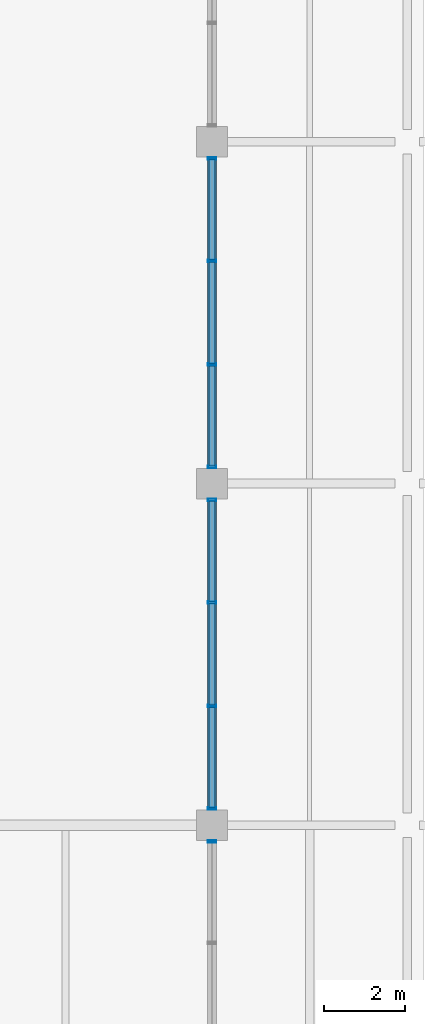
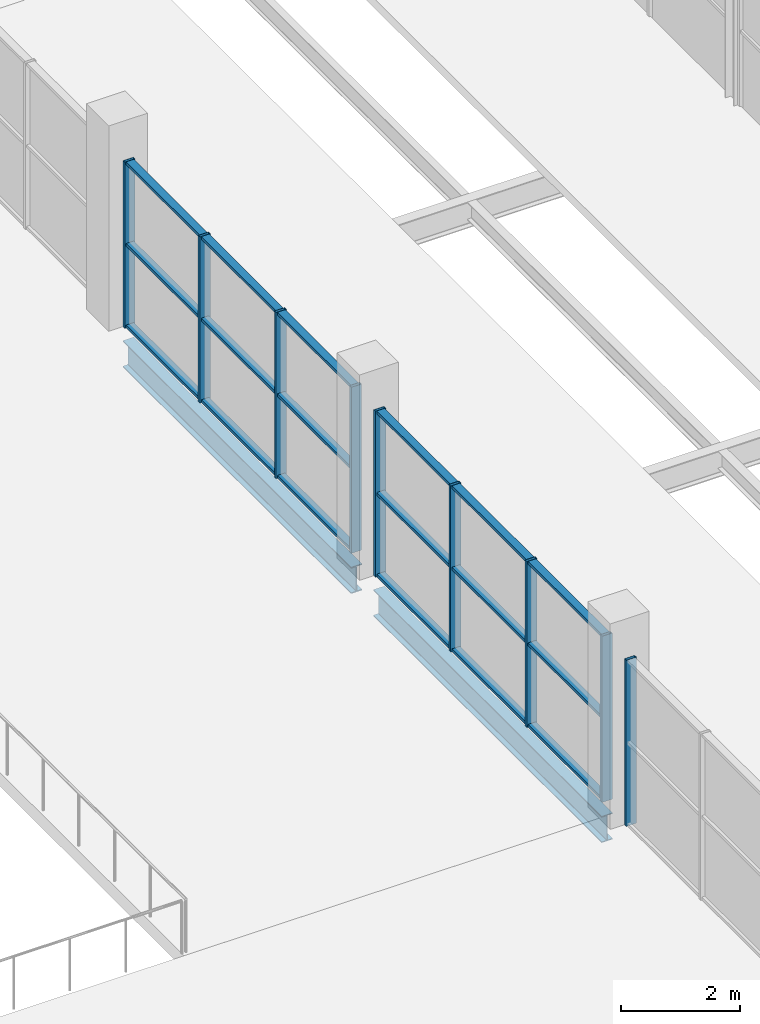
# One storey, part 46 of 161: 27 members, 2 beams, 3 elements without a shape of their own.
"""IFC4 building model written with IfcOpenShell, lengths in metres."""

from ifc_helpers import new_model, si_unit, direction, frame, origin, origin_2d, place, context, subcontext, project, spatial, hollow_rectangle, i_section, extrude, material, material_profile, profile_set, type_object, element, aggregate, save


model = new_model("IFC4")

# Units and contexts
model_context = context("Model", 3, precision=1e-05, world=origin(), true_north=direction((0.0, 1.0)))
body_context = subcontext(model_context, "Body", "Model", "MODEL_VIEW")
ifc_project = project(units=[si_unit("LENGTHUNIT", "METRE"), si_unit("AREAUNIT", "SQUARE_METRE"), si_unit("VOLUMEUNIT", "CUBIC_METRE"), si_unit("PLANEANGLEUNIT", "RADIAN"), si_unit("MASSUNIT", "GRAM", prefix="KILO"), si_unit("THERMODYNAMICTEMPERATUREUNIT", "KELVIN")], contexts=[model_context])

# Site, building, storey
site_placement = place(None, origin())
site = spatial("IfcSite", under=ifc_project, at=site_placement, CompositionType="ELEMENT")
building_placement = place(site_placement, origin())
building = spatial("IfcBuilding", under=site, at=building_placement, Name="Nduvali Passage Aquatics Centre", CompositionType="ELEMENT")
storey_placement = place(building_placement, frame((0.0, 0.0, 4.800048828125)))
storey = spatial("IfcBuildingStorey", under=building, at=storey_placement, Name="L01", CompositionType="ELEMENT", Elevation=4.800048828125)

# Curtain wall, member
ifc_material_1 = material(Name="Aluminium EN AW-6063 T6", Category="aluminium")
curtain_wall_type = type_object("IfcCurtainWallType", Name="ENV-CW-HALL", PredefinedType="NOTDEFINED", material=ifc_material_1)
curtain_wall_1_placement = place(storey_placement, origin())
curtain_wall_1 = element("IfcCurtainWall", 1, at=curtain_wall_1_placement, inside=storey, type_object=curtain_wall_type, Name="L01 East Passage Pool Hall Gallery Glazing 015", PredefinedType="NOTDEFINED")
ifc_material_profile_1 = material_profile(ifc_material_1, hollow_rectangle(XDim=0.06005859375, YDim=0.199951171875, WallThickness=0.00390625, at=origin_2d()), Name="ALU MULLION 60x200x4")
ifc_profile_set_1 = profile_set([ifc_material_profile_1], Name="Aluminium EN AW-6063 T6")
member_type_1 = type_object("IfcMemberType", Name="ENV-MEM-MUL80", PredefinedType="MULLION", material=ifc_profile_set_1)
member_1_placement = place(storey_placement, frame((126.0, 33.195068359375, 0.0), z_axis=(0.0, 0.0, 1.0), x_axis=(0.0, 1.0, 0.0)))
member_1 = element("IfcMember", 2, at=member_1_placement, type_object=member_type_1, Name="East Passage Pool Hall Gallery Glazing Mullion 4", PredefinedType="MULLION", context=body_context, shape_type="SweptSolid", body=[
    extrude(hollow_rectangle(XDim=0.06005859375, YDim=0.199951171875, WallThickness=0.00390625, at=origin_2d()), origin(), (0.0, 0.0, 1.0), 3.396484375),
])
aggregate(curtain_wall_1, [member_1])

# Curtain wall, members
curtain_wall_2_placement = place(storey_placement, origin())
curtain_wall_2 = element("IfcCurtainWall", 3, at=curtain_wall_2_placement, inside=storey, type_object=curtain_wall_type, Name="L01 East Passage Pool Hall Gallery Glazing 019", PredefinedType="NOTDEFINED")
member_2_placement = place(storey_placement, frame((126.0, 34.0048828125, 0.0), z_axis=(0.0, 0.0, 1.0), x_axis=(0.0, 1.0, 0.0)))
member_2 = element("IfcMember", 4, at=member_2_placement, type_object=member_type_1, Name="East Passage Pool Hall Gallery Glazing Mullion 1", PredefinedType="MULLION", context=body_context, shape_type="SweptSolid", body=[
    extrude(hollow_rectangle(XDim=0.06005859375, YDim=0.199951171875, WallThickness=0.00390625, at=origin_2d()), origin(), (0.0, 0.0, 1.0), 3.396484375),
])
member_3_placement = place(storey_placement, frame((126.0, 36.52490234375, 0.0), z_axis=(0.0, 0.0, 1.0), x_axis=(0.0, 1.0, 0.0)))
member_3 = element("IfcMember", 5, at=member_3_placement, type_object=member_type_1, Name="East Passage Pool Hall Gallery Glazing Mullion 2", PredefinedType="MULLION", context=body_context, shape_type="SweptSolid", body=[
    extrude(hollow_rectangle(XDim=0.06005859375, YDim=0.199951171875, WallThickness=0.00390625, at=origin_2d()), origin(), (0.0, 0.0, 1.0), 3.396484375),
])
member_4_placement = place(storey_placement, frame((126.0, 39.074951171875, 0.0), z_axis=(0.0, 0.0, 1.0), x_axis=(0.0, 1.0, 0.0)))
member_4 = element("IfcMember", 6, at=member_4_placement, type_object=member_type_1, Name="East Passage Pool Hall Gallery Glazing Mullion 3", PredefinedType="MULLION", context=body_context, shape_type="SweptSolid", body=[
    extrude(hollow_rectangle(XDim=0.06005859375, YDim=0.199951171875, WallThickness=0.00390625, at=origin_2d()), origin(), (0.0, 0.0, 1.0), 3.396484375),
])
member_5_placement = place(storey_placement, frame((126.0, 41.594970703125, 0.0), z_axis=(0.0, 0.0, 1.0), x_axis=(0.0, 1.0, 0.0)))
member_5 = element("IfcMember", 7, at=member_5_placement, type_object=member_type_1, Name="East Passage Pool Hall Gallery Glazing Mullion 4", PredefinedType="MULLION", context=body_context, shape_type="SweptSolid", body=[
    extrude(hollow_rectangle(XDim=0.06005859375, YDim=0.199951171875, WallThickness=0.00390625, at=origin_2d()), origin(), (0.0, 0.0, 1.0), 3.396484375),
])

curtain_wall_3_placement = place(storey_placement, origin())
curtain_wall_3 = element("IfcCurtainWall", 8, at=curtain_wall_3_placement, inside=storey, type_object=curtain_wall_type, Name="L01 East Passage Pool Hall Gallery Glazing 023", PredefinedType="NOTDEFINED")
member_6_placement = place(storey_placement, frame((126.0, 42.405029296875, 0.0), z_axis=(0.0, 0.0, 1.0), x_axis=(0.0, 1.0, 0.0)))
member_6 = element("IfcMember", 9, at=member_6_placement, type_object=member_type_1, Name="East Passage Pool Hall Gallery Glazing Mullion 1", PredefinedType="MULLION", context=body_context, shape_type="SweptSolid", body=[
    extrude(hollow_rectangle(XDim=0.06005859375, YDim=0.199951171875, WallThickness=0.00390625, at=origin_2d()), origin(), (0.0, 0.0, 1.0), 3.396484375),
])
member_7_placement = place(storey_placement, frame((126.0, 44.925048828125, 0.0), z_axis=(0.0, 0.0, 1.0), x_axis=(0.0, 1.0, 0.0)))
member_7 = element("IfcMember", 10, at=member_7_placement, type_object=member_type_1, Name="East Passage Pool Hall Gallery Glazing Mullion 2", PredefinedType="MULLION", context=body_context, shape_type="SweptSolid", body=[
    extrude(hollow_rectangle(XDim=0.06005859375, YDim=0.199951171875, WallThickness=0.00390625, at=origin_2d()), origin(), (0.0, 0.0, 1.0), 3.396484375),
])
member_8_placement = place(storey_placement, frame((126.0, 47.47509765625, 0.0), z_axis=(0.0, 0.0, 1.0), x_axis=(0.0, 1.0, 0.0)))
member_8 = element("IfcMember", 11, at=member_8_placement, type_object=member_type_1, Name="East Passage Pool Hall Gallery Glazing Mullion 3", PredefinedType="MULLION", context=body_context, shape_type="SweptSolid", body=[
    extrude(hollow_rectangle(XDim=0.06005859375, YDim=0.199951171875, WallThickness=0.00390625, at=origin_2d()), origin(), (0.0, 0.0, 1.0), 3.396484375),
])
member_9_placement = place(storey_placement, frame((126.0, 49.9951171875, 0.0), z_axis=(0.0, 0.0, 1.0), x_axis=(0.0, 1.0, 0.0)))
member_9 = element("IfcMember", 12, at=member_9_placement, type_object=member_type_1, Name="East Passage Pool Hall Gallery Glazing Mullion 4", PredefinedType="MULLION", context=body_context, shape_type="SweptSolid", body=[
    extrude(hollow_rectangle(XDim=0.06005859375, YDim=0.199951171875, WallThickness=0.00390625, at=origin_2d()), origin(), (0.0, 0.0, 1.0), 3.396484375),
])

# Member
ifc_material_profile_2 = material_profile(ifc_material_1, hollow_rectangle(XDim=0.14990234375, YDim=0.06005859375, WallThickness=0.00390625, at=origin_2d()), Name="ALU TRANSOM 150x60x4")
ifc_profile_set_2 = profile_set([ifc_material_profile_2], Name="Aluminium EN AW-6063 T6")
member_type_2 = type_object("IfcMemberType", Name="ENV-MEM-TRN80", PredefinedType="USERDEFINED", material=ifc_profile_set_2)
member_10_placement = place(storey_placement, frame((126.0, 34.034912109375, 0.030029296875), z_axis=(0.0, 1.0, 0.0), x_axis=(-1.0, 0.0, 0.0)))
member_10 = element("IfcMember", 13, at=member_10_placement, type_object=member_type_2, Name="East Passage Pool Hall Gallery Glazing Transom B1-R0", ObjectType="TRANSOM", PredefinedType="USERDEFINED", context=body_context, shape_type="SweptSolid", body=[
    extrude(hollow_rectangle(XDim=0.14990234375, YDim=0.06005859375, WallThickness=0.00390625, at=origin_2d()), origin(), (0.0, 0.0, 1.0), 2.460205078125),
])

member_11_placement = place(storey_placement, frame((126.0, 34.034912109375, 1.6982421875), z_axis=(0.0, 1.0, 0.0), x_axis=(-1.0, 0.0, 0.0)))
member_11 = element("IfcMember", 14, at=member_11_placement, type_object=member_type_2, Name="East Passage Pool Hall Gallery Glazing Transom B1-R1", ObjectType="TRANSOM", PredefinedType="USERDEFINED", context=body_context, shape_type="SweptSolid", body=[
    extrude(hollow_rectangle(XDim=0.14990234375, YDim=0.06005859375, WallThickness=0.00390625, at=origin_2d()), origin(), (0.0, 0.0, 1.0), 2.460205078125),
])

member_12_placement = place(storey_placement, frame((126.0, 34.034912109375, 3.366455078125), z_axis=(0.0, 1.0, 0.0), x_axis=(-1.0, 0.0, 0.0)))
member_12 = element("IfcMember", 15, at=member_12_placement, type_object=member_type_2, Name="East Passage Pool Hall Gallery Glazing Transom B1-R2", ObjectType="TRANSOM", PredefinedType="USERDEFINED", context=body_context, shape_type="SweptSolid", body=[
    extrude(hollow_rectangle(XDim=0.14990234375, YDim=0.06005859375, WallThickness=0.00390625, at=origin_2d()), origin(), (0.0, 0.0, 1.0), 2.460205078125),
])

member_13_placement = place(storey_placement, frame((126.0, 36.554931640625, 0.030029296875), z_axis=(0.0, 1.0, 0.0), x_axis=(-1.0, 0.0, 0.0)))
member_13 = element("IfcMember", 16, at=member_13_placement, type_object=member_type_2, Name="East Passage Pool Hall Gallery Glazing Transom B2-R0", ObjectType="TRANSOM", PredefinedType="USERDEFINED", context=body_context, shape_type="SweptSolid", body=[
    extrude(hollow_rectangle(XDim=0.14990234375, YDim=0.06005859375, WallThickness=0.00390625, at=origin_2d()), origin(), (0.0, 0.0, 1.0), 2.489990234375),
])

member_14_placement = place(storey_placement, frame((126.0, 36.554931640625, 1.6982421875), z_axis=(0.0, 1.0, 0.0), x_axis=(-1.0, 0.0, 0.0)))
member_14 = element("IfcMember", 17, at=member_14_placement, type_object=member_type_2, Name="East Passage Pool Hall Gallery Glazing Transom B2-R1", ObjectType="TRANSOM", PredefinedType="USERDEFINED", context=body_context, shape_type="SweptSolid", body=[
    extrude(hollow_rectangle(XDim=0.14990234375, YDim=0.06005859375, WallThickness=0.00390625, at=origin_2d()), origin(), (0.0, 0.0, 1.0), 2.489990234375),
])

member_15_placement = place(storey_placement, frame((126.0, 36.554931640625, 3.366455078125), z_axis=(0.0, 1.0, 0.0), x_axis=(-1.0, 0.0, 0.0)))
member_15 = element("IfcMember", 18, at=member_15_placement, type_object=member_type_2, Name="East Passage Pool Hall Gallery Glazing Transom B2-R2", ObjectType="TRANSOM", PredefinedType="USERDEFINED", context=body_context, shape_type="SweptSolid", body=[
    extrude(hollow_rectangle(XDim=0.14990234375, YDim=0.06005859375, WallThickness=0.00390625, at=origin_2d()), origin(), (0.0, 0.0, 1.0), 2.489990234375),
])

member_16_placement = place(storey_placement, frame((126.0, 39.10498046875, 0.030029296875), z_axis=(0.0, 1.0, 0.0), x_axis=(-1.0, 0.0, 0.0)))
member_16 = element("IfcMember", 19, at=member_16_placement, type_object=member_type_2, Name="East Passage Pool Hall Gallery Glazing Transom B3-R0", ObjectType="TRANSOM", PredefinedType="USERDEFINED", context=body_context, shape_type="SweptSolid", body=[
    extrude(hollow_rectangle(XDim=0.14990234375, YDim=0.06005859375, WallThickness=0.00390625, at=origin_2d()), origin(), (0.0, 0.0, 1.0), 2.4599609375),
])

member_17_placement = place(storey_placement, frame((126.0, 39.10498046875, 1.6982421875), z_axis=(0.0, 1.0, 0.0), x_axis=(-1.0, 0.0, 0.0)))
member_17 = element("IfcMember", 20, at=member_17_placement, type_object=member_type_2, Name="East Passage Pool Hall Gallery Glazing Transom B3-R1", ObjectType="TRANSOM", PredefinedType="USERDEFINED", context=body_context, shape_type="SweptSolid", body=[
    extrude(hollow_rectangle(XDim=0.14990234375, YDim=0.06005859375, WallThickness=0.00390625, at=origin_2d()), origin(), (0.0, 0.0, 1.0), 2.4599609375),
])

member_18_placement = place(storey_placement, frame((126.0, 39.10498046875, 3.366455078125), z_axis=(0.0, 1.0, 0.0), x_axis=(-1.0, 0.0, 0.0)))
member_18 = element("IfcMember", 21, at=member_18_placement, type_object=member_type_2, Name="East Passage Pool Hall Gallery Glazing Transom B3-R2", ObjectType="TRANSOM", PredefinedType="USERDEFINED", context=body_context, shape_type="SweptSolid", body=[
    extrude(hollow_rectangle(XDim=0.14990234375, YDim=0.06005859375, WallThickness=0.00390625, at=origin_2d()), origin(), (0.0, 0.0, 1.0), 2.4599609375),
])

aggregate(curtain_wall_2, [member_2, member_3, member_4, member_5, member_10, member_11, member_12, member_13, member_14, member_15, member_16, member_17, member_18])

member_19_placement = place(storey_placement, frame((126.0, 42.43505859375, 0.030029296875), z_axis=(0.0, 1.0, 0.0), x_axis=(-1.0, 0.0, 0.0)))
member_19 = element("IfcMember", 22, at=member_19_placement, type_object=member_type_2, Name="East Passage Pool Hall Gallery Glazing Transom B1-R0", ObjectType="TRANSOM", PredefinedType="USERDEFINED", context=body_context, shape_type="SweptSolid", body=[
    extrude(hollow_rectangle(XDim=0.14990234375, YDim=0.06005859375, WallThickness=0.00390625, at=origin_2d()), origin(), (0.0, 0.0, 1.0), 2.4599609375),
])

member_20_placement = place(storey_placement, frame((126.0, 42.43505859375, 1.6982421875), z_axis=(0.0, 1.0, 0.0), x_axis=(-1.0, 0.0, 0.0)))
member_20 = element("IfcMember", 23, at=member_20_placement, type_object=member_type_2, Name="East Passage Pool Hall Gallery Glazing Transom B1-R1", ObjectType="TRANSOM", PredefinedType="USERDEFINED", context=body_context, shape_type="SweptSolid", body=[
    extrude(hollow_rectangle(XDim=0.14990234375, YDim=0.06005859375, WallThickness=0.00390625, at=origin_2d()), origin(), (0.0, 0.0, 1.0), 2.4599609375),
])

member_21_placement = place(storey_placement, frame((126.0, 42.43505859375, 3.366455078125), z_axis=(0.0, 1.0, 0.0), x_axis=(-1.0, 0.0, 0.0)))
member_21 = element("IfcMember", 24, at=member_21_placement, type_object=member_type_2, Name="East Passage Pool Hall Gallery Glazing Transom B1-R2", ObjectType="TRANSOM", PredefinedType="USERDEFINED", context=body_context, shape_type="SweptSolid", body=[
    extrude(hollow_rectangle(XDim=0.14990234375, YDim=0.06005859375, WallThickness=0.00390625, at=origin_2d()), origin(), (0.0, 0.0, 1.0), 2.4599609375),
])

member_22_placement = place(storey_placement, frame((126.0, 44.955078125, 0.030029296875), z_axis=(0.0, 1.0, 0.0), x_axis=(-1.0, 0.0, 0.0)))
member_22 = element("IfcMember", 25, at=member_22_placement, type_object=member_type_2, Name="East Passage Pool Hall Gallery Glazing Transom B2-R0", ObjectType="TRANSOM", PredefinedType="USERDEFINED", context=body_context, shape_type="SweptSolid", body=[
    extrude(hollow_rectangle(XDim=0.14990234375, YDim=0.06005859375, WallThickness=0.00390625, at=origin_2d()), origin(), (0.0, 0.0, 1.0), 2.489990234375),
])

member_23_placement = place(storey_placement, frame((126.0, 44.955078125, 1.6982421875), z_axis=(0.0, 1.0, 0.0), x_axis=(-1.0, 0.0, 0.0)))
member_23 = element("IfcMember", 26, at=member_23_placement, type_object=member_type_2, Name="East Passage Pool Hall Gallery Glazing Transom B2-R1", ObjectType="TRANSOM", PredefinedType="USERDEFINED", context=body_context, shape_type="SweptSolid", body=[
    extrude(hollow_rectangle(XDim=0.14990234375, YDim=0.06005859375, WallThickness=0.00390625, at=origin_2d()), origin(), (0.0, 0.0, 1.0), 2.489990234375),
])

member_24_placement = place(storey_placement, frame((126.0, 44.955078125, 3.366455078125), z_axis=(0.0, 1.0, 0.0), x_axis=(-1.0, 0.0, 0.0)))
member_24 = element("IfcMember", 27, at=member_24_placement, type_object=member_type_2, Name="East Passage Pool Hall Gallery Glazing Transom B2-R2", ObjectType="TRANSOM", PredefinedType="USERDEFINED", context=body_context, shape_type="SweptSolid", body=[
    extrude(hollow_rectangle(XDim=0.14990234375, YDim=0.06005859375, WallThickness=0.00390625, at=origin_2d()), origin(), (0.0, 0.0, 1.0), 2.489990234375),
])

member_25_placement = place(storey_placement, frame((126.0, 47.5048828125, 0.030029296875), z_axis=(0.0, 1.0, 0.0), x_axis=(-1.0, 0.0, 0.0)))
member_25 = element("IfcMember", 28, at=member_25_placement, type_object=member_type_2, Name="East Passage Pool Hall Gallery Glazing Transom B3-R0", ObjectType="TRANSOM", PredefinedType="USERDEFINED", context=body_context, shape_type="SweptSolid", body=[
    extrude(hollow_rectangle(XDim=0.14990234375, YDim=0.06005859375, WallThickness=0.00390625, at=origin_2d()), origin(), (0.0, 0.0, 1.0), 2.460205078125),
])

member_26_placement = place(storey_placement, frame((126.0, 47.5048828125, 1.6982421875), z_axis=(0.0, 1.0, 0.0), x_axis=(-1.0, 0.0, 0.0)))
member_26 = element("IfcMember", 29, at=member_26_placement, type_object=member_type_2, Name="East Passage Pool Hall Gallery Glazing Transom B3-R1", ObjectType="TRANSOM", PredefinedType="USERDEFINED", context=body_context, shape_type="SweptSolid", body=[
    extrude(hollow_rectangle(XDim=0.14990234375, YDim=0.06005859375, WallThickness=0.00390625, at=origin_2d()), origin(), (0.0, 0.0, 1.0), 2.460205078125),
])

member_27_placement = place(storey_placement, frame((126.0, 47.5048828125, 3.366455078125), z_axis=(0.0, 1.0, 0.0), x_axis=(-1.0, 0.0, 0.0)))
member_27 = element("IfcMember", 30, at=member_27_placement, type_object=member_type_2, Name="East Passage Pool Hall Gallery Glazing Transom B3-R2", ObjectType="TRANSOM", PredefinedType="USERDEFINED", context=body_context, shape_type="SweptSolid", body=[
    extrude(hollow_rectangle(XDim=0.14990234375, YDim=0.06005859375, WallThickness=0.00390625, at=origin_2d()), origin(), (0.0, 0.0, 1.0), 2.460205078125),
])

aggregate(curtain_wall_3, [member_6, member_7, member_8, member_9, member_19, member_20, member_21, member_22, member_23, member_24, member_25, member_26, member_27])

# Beams
ifc_material_2 = material(Name="Steel S355", Category="steel")
ifc_material_profile_3 = material_profile(ifc_material_2, i_section(OverallWidth=0.210693359375, OverallDepth=0.53955078125, WebThickness=0.01171875, FlangeThickness=0.018798828125, FilletRadius=0.0126953125, at=origin_2d()), Name="UKB 533x210x109")
ifc_profile_set_3 = profile_set([ifc_material_profile_3], Name="Steel S355")
beam_type = type_object("IfcBeamType", Name="STR-BM-UKB533-EXT", PredefinedType="BEAM", material=ifc_profile_set_3)
for number, where, z_axis, x_axis, name in (
    (31, (126.0, 33.97509765625, -0.553955078125), (0.0, 1.0, 0.0), (-1.0, 0.0, 0.0), "L01 Primary Y-Girder B6E-0626"),
    (32, (126.0, 42.375, -0.553955078125), (0.0, 1.0, 0.0), (-1.0, 0.0, 0.0), "L01 Primary Y-Girder B6E-0627"),
):
    element("IfcBeam", number, at=place(storey_placement, frame(where, z_axis=z_axis, x_axis=x_axis)), inside=storey, type_object=beam_type, Name=name, PredefinedType="BEAM", context=body_context, shape_type="SweptSolid", body=[
        extrude(i_section(OverallWidth=0.210693359375, OverallDepth=0.53955078125, WebThickness=0.01171875, FlangeThickness=0.018798828125, FilletRadius=0.0126953125, at=origin_2d()), origin(), (0.0, 0.0, 1.0), 7.64990234375),
    ])

save(model, "model.ifc")
